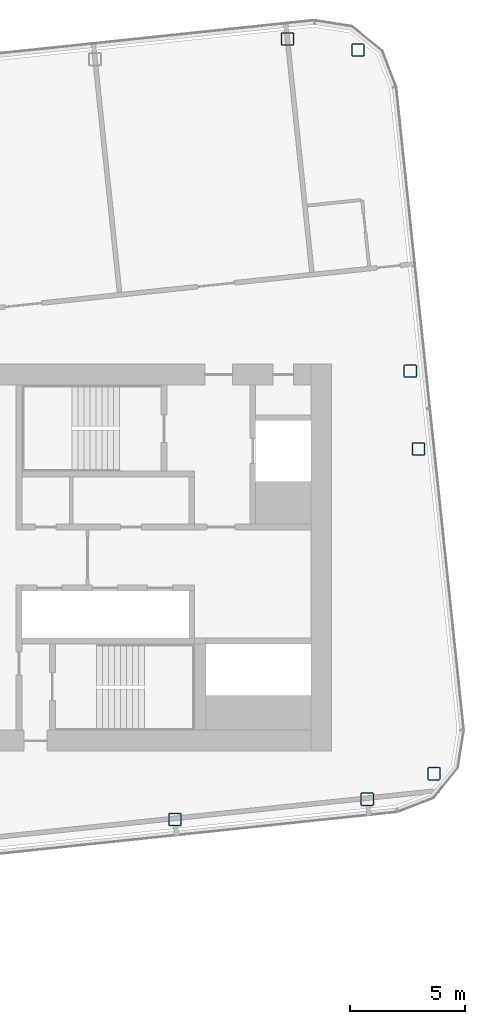
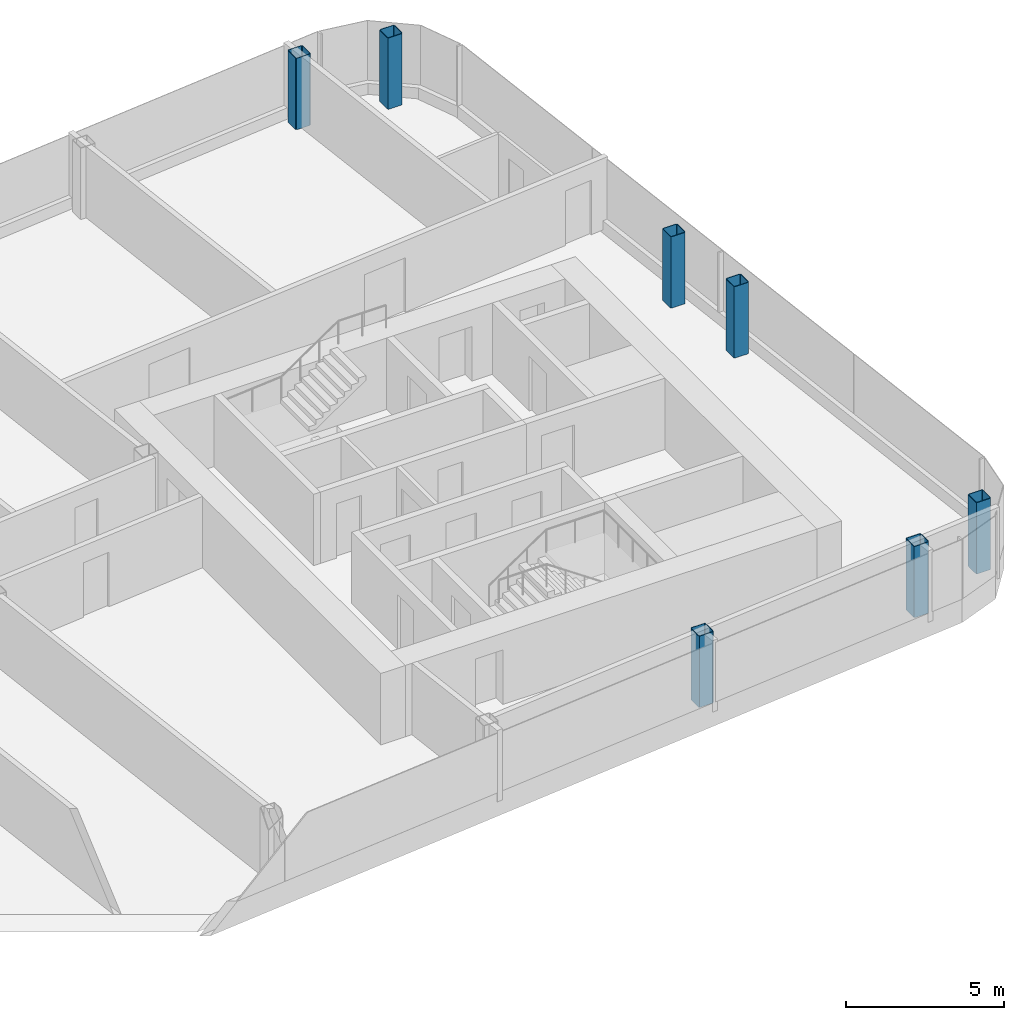
# One storey, part 2 of 27: 7 columns.
"""IFC4 building model written with IfcOpenShell, lengths in metres."""

from ifc_helpers import new_model, si_unit, direction, frame, origin, origin_2d, place, context, subcontext, project, spatial, hollow_rectangle, extrude, material, material_profile, profile_set, type_object, element, save


model = new_model("IFC4")

# Units and contexts
model_context = context("Model", 3, precision=1e-05, world=origin(), true_north=direction((0.0, 1.0)))
body_context = subcontext(model_context, "Body", "Model", "MODEL_VIEW")
ifc_project = project(units=[si_unit("LENGTHUNIT", "METRE"), si_unit("AREAUNIT", "SQUARE_METRE"), si_unit("VOLUMEUNIT", "CUBIC_METRE"), si_unit("PLANEANGLEUNIT", "RADIAN"), si_unit("MASSUNIT", "GRAM", prefix="KILO")], contexts=[model_context])

# Site, building, storey
site_placement = place(None, origin())
site = spatial("IfcSite", under=ifc_project, at=site_placement, CompositionType="ELEMENT")
building_placement = place(site_placement, origin())
building = spatial("IfcBuilding", under=site, at=building_placement, Name="Hakoniwa Tower and Hamabe Station Hall", CompositionType="ELEMENT")
storey_placement = place(building_placement, frame((0.0, 0.0, 255.0)))
storey = spatial("IfcBuildingStorey", under=building, at=storey_placement, Name="L72", CompositionType="ELEMENT", Elevation=255.0)

# Columns
ifc_material = material(Name="Steel BCP325", Category="steel")
ifc_material_profile = material_profile(ifc_material, hollow_rectangle(XDim=0.550048828125, YDim=0.550048828125, WallThickness=0.02197265625, InnerFilletRadius=0.032958984375, OuterFilletRadius=0.054931640625, at=origin_2d()), Name="BCP-550x550x22")
ifc_profile_set = profile_set([ifc_material_profile], Name="Steel BCP325")
column_type = type_object("IfcColumnType", Name="COLUMN BCP-550x550x22", PredefinedType="COLUMN", material=ifc_profile_set)
for number, where, z_axis, x_axis, name in (
    (1, (26.797119140625, -11.375, 0.0), (0.0, 0.0, 1.0), (1.0, 0.0, 0.0), "Column B5-10-A5"),
    (2, (35.151123046875, -10.496826171875, 0.0), (0.0, 0.0, 1.0), (1.0, 0.0, 0.0), "Column B5-11-A5"),
    (3, (31.680908203125, 22.521240234375, 0.0), (0.0, 0.0, 1.0), (1.0, 0.0, 0.0), "Column B5-11-F5"),
    (4, (38.054443359375, -9.390380859375, 0.0), (0.0, 0.0, 1.0), (1.0, 0.0, 0.0), "Column B5-EE-A5"),
    (5, (37.372802734375, 4.71875, 0.0), (0.0, 0.0, 1.0), (1.0, 0.0, 0.0), "Column B5-EE-C5"),
    (6, (37.017333984375, 8.10009765625, 0.0), (0.0, 0.0, 1.0), (1.0, 0.0, 0.0), "Column B5-EE-D5"),
    (7, (34.750732421875, 22.04248046875, 0.0), (0.0, 0.0, 1.0), (1.0, 0.0, 0.0), "Column B5-EE-F5"),
):
    element("IfcColumn", number, at=place(storey_placement, frame(where, z_axis=z_axis, x_axis=x_axis)), inside=storey, type_object=column_type, Name=name, PredefinedType="COLUMN", context=body_context, shape_type="SweptSolid", body=[
        extrude(hollow_rectangle(XDim=0.550048828125, YDim=0.550048828125, WallThickness=0.02197265625, InnerFilletRadius=0.032958984375, OuterFilletRadius=0.054931640625, at=origin_2d()), origin(), (0.0, 0.0, 1.0), 2.75),
    ])

save(model, "model.ifc")
